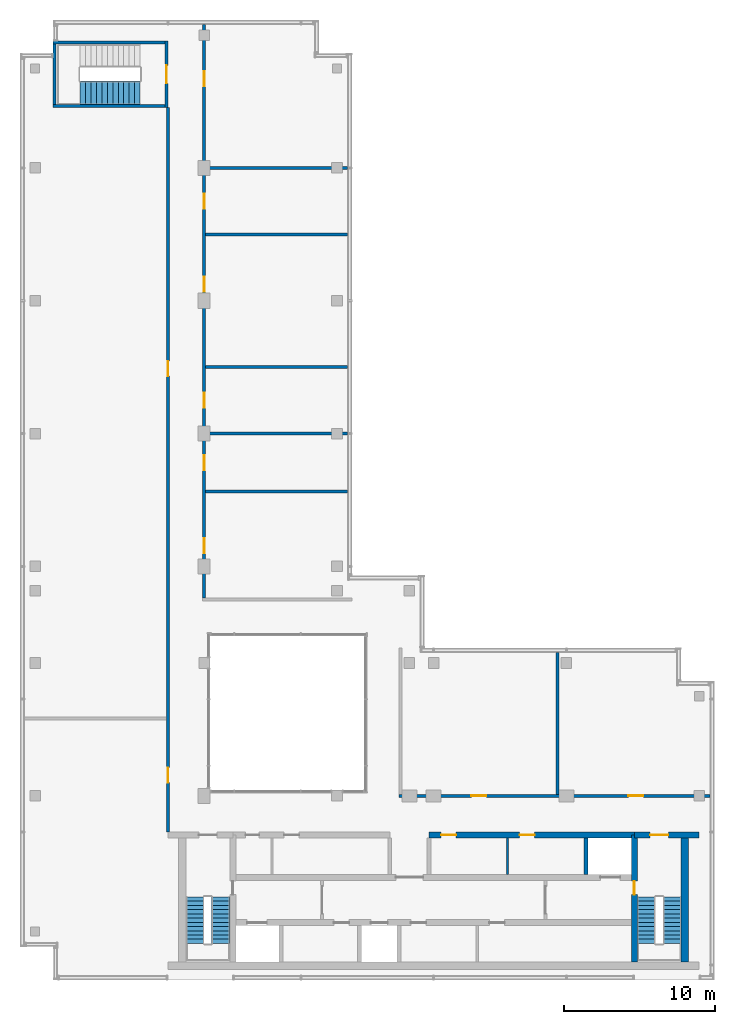
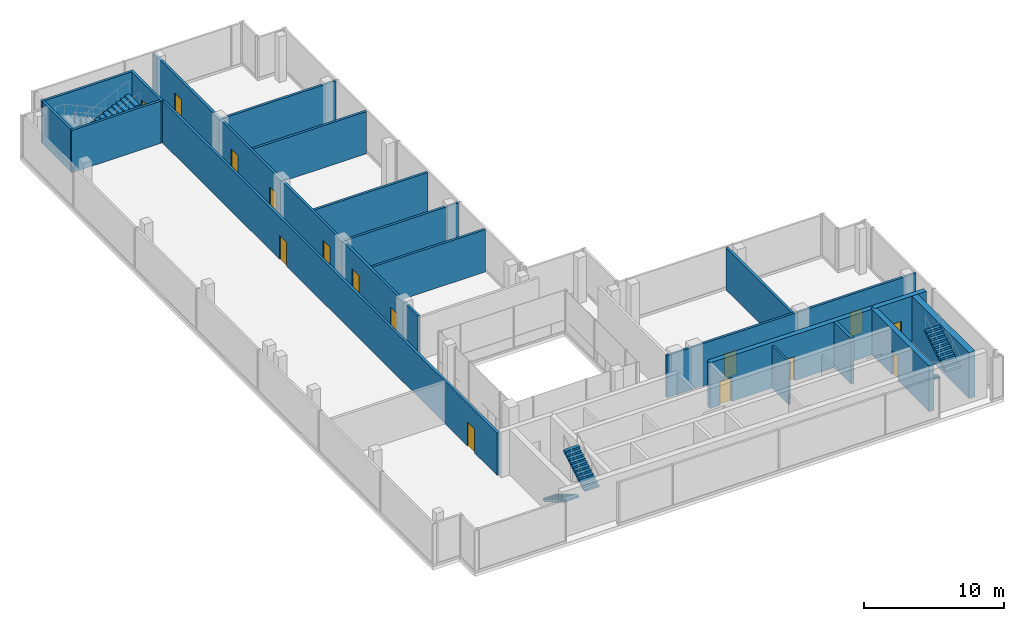
# One storey, part 9 of 11: 19 walls, 15 doors, 5 stair flights, 15 openings, 3 elements without a shape of their own.
"""IFC4 building model written with IfcOpenShell, lengths in metres."""

from ifc_helpers import new_model, si_unit, direction, frame, frame_2d, origin, place, context, subcontext, project, spatial, polyline, rectangle, outline, extrude, material, layer, layer_set, type_object, element, fill, aggregate, save


model = new_model("IFC4")

# Units and contexts
model_context = context("Model", 3, precision=1e-05, world=origin(), true_north=direction((0.0, 1.0)))
body_context = subcontext(model_context, "Body", "Model", "MODEL_VIEW")
ifc_project = project(units=[si_unit("LENGTHUNIT", "METRE"), si_unit("AREAUNIT", "SQUARE_METRE"), si_unit("VOLUMEUNIT", "CUBIC_METRE"), si_unit("PLANEANGLEUNIT", "RADIAN"), si_unit("MASSUNIT", "GRAM", prefix="KILO")], contexts=[model_context])

# Site, building, storey
site_placement = place(None, origin())
site = spatial("IfcSite", under=ifc_project, at=site_placement, CompositionType="ELEMENT")
building_placement = place(site_placement, origin())
building = spatial("IfcBuilding", under=site, at=building_placement, Name="Kemantara Hotel Tower", CompositionType="ELEMENT")
storey_placement = place(building_placement, frame((0.0, 0.0, 326.199951171875)))
storey = spatial("IfcBuildingStorey", under=building, at=storey_placement, Name="L82", CompositionType="ELEMENT", Elevation=326.199951171875)

# Wall
ifc_material_1 = material(Name="Concrete fc 50 MPa", Category="concrete")
ifc_layer_1 = layer(ifc_material_1, 0.25)
ifc_layer_set_1 = layer_set([ifc_layer_1], Name="Concrete fc 50 MPa")
wall_type_1 = type_object("IfcWallType", Name="CORE WALL 250 FC50", PredefinedType="SHEAR", material=ifc_layer_set_1)
wall_1_placement = place(storey_placement, frame((37.5, 7.0, 0.0), z_axis=(0.0, 0.0, 1.0), x_axis=(0.0, 1.0, 0.0)))
element("IfcWall", 1, at=wall_1_placement, inside=storey, type_object=wall_type_1, Name="CORE WALL CW-DN37.5", PredefinedType="SHEAR", context=body_context, shape_type="SweptSolid", body=[
    extrude(rectangle(XDim=2.39990234375, YDim=0.25, at=frame_2d((1.199951171875, 0.0))), origin(), (0.0, 0.0, 1.0), 4.0),
])

# Wall, opening, door
ifc_layer_2 = layer(ifc_material_1, 0.39990234375)
ifc_layer_set_2 = layer_set([ifc_layer_2], Name="Concrete fc 50 MPa")
wall_type_2 = type_object("IfcWallType", Name="CORE WALL 400 FC50", PredefinedType="SHEAR", material=ifc_layer_set_2)
wall_2_placement = place(storey_placement, frame((40.699951171875, 9.60009765625, 0.0), z_axis=(0.0, 0.0, 1.0), x_axis=(1.0, 0.0, 0.0)))
wall_2 = element("IfcWall", 2, at=wall_2_placement, inside=storey, type_object=wall_type_2, Name="CORE WALL CW-N2", PredefinedType="SHEAR", context=body_context, shape_type="SweptSolid", body=[
    extrude(rectangle(XDim=4.300048828125, YDim=0.39990234375, at=frame_2d((2.14990234375, 0.0))), origin(), (0.0, 0.0, 1.0), 4.0),
])
opening_1_placement = place(wall_2_placement, frame((1.050048828125, 0.0, 0.0)))
opening_1 = element("IfcOpeningElement", 3, at=opening_1_placement, cuts=wall_2, Name="Opening C46-ST2-C", PredefinedType="OPENING", context=body_context, shape_type="SweptSolid", body=[
    extrude(rectangle(XDim=1.199951171875, YDim=2.10009765625, at=frame_2d((0.60009765625, 1.050048828125))), frame((0.0, 0.2099609375, 0.0), z_axis=(0.0, -1.0, 0.0), x_axis=(1.0, 0.0, 0.0)), (0.0, 0.0, 1.0), 0.419921875),
])
ifc_material_2 = material(Name="Steel fire door", Category="steel")
door_type_1 = type_object("IfcDoorType", Name="Fire door FD90 1200 x 2100", OperationType="NOTDEFINED", PredefinedType="DOOR", material=ifc_material_2)
door_1_placement = place(opening_1_placement, frame((1.199951171875, 0.0, 0.0), z_axis=(0.0, 0.0, 1.0), x_axis=(-1.0, 0.0, 0.0)))
door_1 = element("IfcDoor", 4, at=door_1_placement, inside=storey, type_object=door_type_1, Name="Stair ST2 door to corridor", OperationType="SINGLE_SWING_RIGHT", OverallHeight=2.10009765625, OverallWidth=1.199951171875, PredefinedType="DOOR", context=body_context, shape_type="SweptSolid", body=[
    extrude(rectangle(XDim=1.199951171875, YDim=2.10009765625, at=frame_2d((0.60009765625, 1.050048828125))), frame((0.0, 0.02490234375, 0.0), z_axis=(0.0, -1.0, 0.0), x_axis=(1.0, 0.0, 0.0)), (0.0, 0.0, 1.0), 0.050048828125),
])
fill(opening_1, door_1)

# Wall, openings, doors
wall_3_placement = place(storey_placement, frame((27.10009765625, 9.60009765625, 0.0), z_axis=(0.0, 0.0, 1.0), x_axis=(1.0, 0.0, 0.0)))
wall_3 = element("IfcWall", 5, at=wall_3_placement, inside=storey, type_object=wall_type_2, Name="CORE WALL CW-NN2", PredefinedType="SHEAR", context=body_context, shape_type="SweptSolid", body=[
    extrude(rectangle(XDim=13.599853515625, YDim=0.39990234375, at=frame_2d((6.7998046875, 0.0))), origin(), (0.0, 0.0, 1.0), 4.0),
])
opening_2_placement = place(wall_3_placement, frame((0.800048828125, 0.0, 0.0)))
opening_2 = element("IfcOpeningElement", 6, at=opening_2_placement, cuts=wall_3, Name="Opening C46-R-NE1", PredefinedType="OPENING", context=body_context, shape_type="SweptSolid", body=[
    extrude(rectangle(XDim=1.0, YDim=2.10009765625, at=frame_2d((0.5, 1.050048828125))), frame((0.0, 0.2099609375, 0.0), z_axis=(0.0, -1.0, 0.0), x_axis=(1.0, 0.0, 0.0)), (0.0, 0.0, 1.0), 0.419921875),
])
opening_3_placement = place(wall_3_placement, frame((6.0, 0.0, 0.0)))
opening_3 = element("IfcOpeningElement", 7, at=opening_3_placement, cuts=wall_3, Name="Opening C46-R-NE2", PredefinedType="OPENING", context=body_context, shape_type="SweptSolid", body=[
    extrude(rectangle(XDim=1.0, YDim=2.10009765625, at=frame_2d((0.5, 1.050048828125))), frame((0.0, 0.2099609375, 0.0), z_axis=(0.0, -1.0, 0.0), x_axis=(1.0, 0.0, 0.0)), (0.0, 0.0, 1.0), 0.419921875),
])
door_type_2 = type_object("IfcDoorType", Name="Fire door FD60 1000 x 2100", OperationType="NOTDEFINED", PredefinedType="DOOR", material=ifc_material_2)
door_2_placement = place(opening_2_placement, frame((1.0, 0.0, 0.0), z_axis=(0.0, 0.0, 1.0), x_axis=(-1.0, 0.0, 0.0)))
door_2 = element("IfcDoor", 8, at=door_2_placement, inside=storey, type_object=door_type_2, Name="Pump Room door", OperationType="SINGLE_SWING_RIGHT", OverallHeight=2.10009765625, OverallWidth=1.0, PredefinedType="DOOR", context=body_context, shape_type="SweptSolid", body=[
    extrude(rectangle(XDim=1.0, YDim=2.10009765625, at=frame_2d((0.5, 1.050048828125))), frame((0.0, 0.02490234375, 0.0), z_axis=(0.0, -1.0, 0.0), x_axis=(1.0, 0.0, 0.0)), (0.0, 0.0, 1.0), 0.050048828125),
])
fill(opening_2, door_2)
door_3_placement = place(opening_3_placement, frame((1.0, 0.0, 0.0), z_axis=(0.0, 0.0, 1.0), x_axis=(-1.0, 0.0, 0.0)))
door_3 = element("IfcDoor", 9, at=door_3_placement, inside=storey, type_object=door_type_2, Name="Air Handling Plant Room door", OperationType="SINGLE_SWING_RIGHT", OverallHeight=2.10009765625, OverallWidth=1.0, PredefinedType="DOOR", context=body_context, shape_type="SweptSolid", body=[
    extrude(rectangle(XDim=1.0, YDim=2.10009765625, at=frame_2d((0.5, 1.050048828125))), frame((0.0, 0.02490234375, 0.0), z_axis=(0.0, -1.0, 0.0), x_axis=(1.0, 0.0, 0.0)), (0.0, 0.0, 1.0), 0.050048828125),
])
fill(opening_3, door_3)

# Wall, opening, door
wall_4_placement = place(storey_placement, frame((40.699951171875, 1.199951171875, 0.0), z_axis=(0.0, 0.0, 1.0), x_axis=(0.0, 1.0, 0.0)))
wall_4 = element("IfcWall", 10, at=wall_4_placement, inside=storey, type_object=wall_type_2, Name="CORE WALL CW-ST2W", PredefinedType="SHEAR", context=body_context, shape_type="SweptSolid", body=[
    extrude(rectangle(XDim=8.400146484375, YDim=0.39990234375, at=frame_2d((4.2001953125, 0.0))), origin(), (0.0, 0.0, 1.0), 4.0),
])
opening_4_placement = place(wall_4_placement, frame((4.449951171875, 0.0, 0.0)))
opening_4 = element("IfcOpeningElement", 11, at=opening_4_placement, cuts=wall_4, Name="Opening C46-ST2-F", PredefinedType="OPENING", context=body_context, shape_type="SweptSolid", body=[
    extrude(rectangle(XDim=0.89990234375, YDim=2.10009765625, at=frame_2d((0.449951171875, 1.050048828125))), frame((0.0, 0.2099609375, 0.0), z_axis=(0.0, -1.0, 0.0), x_axis=(1.0, 0.0, 0.0)), (0.0, 0.0, 1.0), 0.419921875),
])
door_type_3 = type_object("IfcDoorType", Name="Fire door FD90 900 x 2100", OperationType="NOTDEFINED", PredefinedType="DOOR", material=ifc_material_2)
door_4_placement = place(opening_4_placement, frame((0.89990234375, 0.0, 0.0), z_axis=(0.0, 0.0, 1.0), x_axis=(-1.0, 0.0, 0.0)))
door_4 = element("IfcDoor", 12, at=door_4_placement, inside=storey, type_object=door_type_3, Name="Stair ST2 door to firefighting lobby", OperationType="SINGLE_SWING_LEFT", OverallHeight=2.10009765625, OverallWidth=0.89990234375, PredefinedType="DOOR", context=body_context, shape_type="SweptSolid", body=[
    extrude(rectangle(XDim=0.89990234375, YDim=2.10009765625, at=frame_2d((0.449951171875, 1.050048828125))), frame((0.0, 0.02490234375, 0.0), z_axis=(0.0, -1.0, 0.0), x_axis=(1.0, 0.0, 0.0)), (0.0, 0.0, 1.0), 0.050048828125),
])
fill(opening_4, door_4)

# Wall
ifc_layer_3 = layer(ifc_material_1, 0.5)
ifc_layer_set_3 = layer_set([ifc_layer_3], Name="Concrete fc 50 MPa")
wall_type_3 = type_object("IfcWallType", Name="CORE WALL 500 FC50", PredefinedType="SHEAR", material=ifc_layer_set_3)
wall_5_placement = place(storey_placement, frame((44.050048828125, 1.199951171875, 0.0), z_axis=(0.0, 0.0, 1.0), x_axis=(0.0, 1.0, 0.0)))
element("IfcWall", 13, at=wall_5_placement, inside=storey, type_object=wall_type_3, Name="CORE WALL CW-E", PredefinedType="SHEAR", context=body_context, shape_type="SweptSolid", body=[
    extrude(rectangle(XDim=8.60009765625, YDim=0.5, at=frame_2d((4.300048828125, 0.0))), origin(), (0.0, 0.0, 1.0), 4.0),
])

# Wall, opening, door
ifc_material_3 = material(Name="Concrete fc 40 MPa", Category="concrete")
ifc_layer_4 = layer(ifc_material_3, 0.199951171875)
ifc_layer_set_4 = layer_set([ifc_layer_4], Name="Concrete fc 40 MPa")
wall_type_4 = type_object("IfcWallType", Name="Concrete stair wall 200 mm", PredefinedType="SHEAR", material=ifc_layer_set_4)
wall_6_placement = place(storey_placement, frame((9.699951171875, 57.800048828125, 0.0), z_axis=(0.0, 0.0, 1.0), x_axis=(0.0, 1.0, 0.0)))
wall_6 = element("IfcWall", 14, at=wall_6_placement, inside=storey, type_object=wall_type_4, Name="Stair ST4 enclosure wall with door", PredefinedType="SHEAR", context=body_context, shape_type="SweptSolid", body=[
    extrude(rectangle(XDim=4.39990234375, YDim=0.199951171875, at=frame_2d((2.199951171875, 0.0))), origin(), (0.0, 0.0, 1.0), 3.699951171875),
])
opening_5_placement = place(wall_6_placement, frame((1.60009765625, 0.0, 0.0)))
opening_5 = element("IfcOpeningElement", 15, at=opening_5_placement, cuts=wall_6, Name="Opening ST4-C", PredefinedType="OPENING", context=body_context, shape_type="SweptSolid", body=[
    extrude(rectangle(XDim=1.199951171875, YDim=2.10009765625, at=frame_2d((0.60009765625, 1.050048828125))), frame((0.0, 0.10986328125, 0.0), z_axis=(0.0, -1.0, 0.0), x_axis=(1.0, 0.0, 0.0)), (0.0, 0.0, 1.0), 0.219970703125),
])
door_5_placement = place(opening_5_placement, origin())
door_5 = element("IfcDoor", 16, at=door_5_placement, inside=storey, type_object=door_type_1, Name="Stair ST4 door", OperationType="SINGLE_SWING_RIGHT", OverallHeight=2.10009765625, OverallWidth=1.199951171875, PredefinedType="DOOR", context=body_context, shape_type="SweptSolid", body=[
    extrude(rectangle(XDim=1.199951171875, YDim=2.10009765625, at=frame_2d((0.60009765625, 1.050048828125))), frame((0.0, 0.02490234375, 0.0), z_axis=(0.0, -1.0, 0.0), x_axis=(1.0, 0.0, 0.0)), (0.0, 0.0, 1.0), 0.050048828125),
])
fill(opening_5, door_5)

# Walls
for number, where, z_axis, x_axis, name in (
    (17, (2.199951171875, 62.10009765625, 0.0), (0.0, 0.0, 1.0), (1.0, 0.0, 0.0), "Stair ST4 enclosure wall N"),
    (18, (2.199951171875, 57.89990234375, 0.0), (0.0, 0.0, 1.0), (1.0, 0.0, 0.0), "Stair ST4 enclosure wall S"),
):
    element("IfcWall", number, at=place(storey_placement, frame(where, z_axis=z_axis, x_axis=x_axis)), inside=storey, type_object=wall_type_4, Name=name, PredefinedType="SHEAR", context=body_context, shape_type="SweptSolid", body=[
        extrude(rectangle(XDim=7.400146484375, YDim=0.199951171875, at=frame_2d((3.7001953125, 0.0))), origin(), (0.0, 0.0, 1.0), 3.699951171875),
    ])
wall_7_placement = place(storey_placement, frame((2.300048828125, 58.0, 0.0), z_axis=(0.0, 0.0, 1.0), x_axis=(0.0, 1.0, 0.0)))
element("IfcWall", 19, at=wall_7_placement, inside=storey, type_object=wall_type_4, Name="Stair ST4 enclosure wall W", PredefinedType="SHEAR", context=body_context, shape_type="SweptSolid", body=[
    extrude(rectangle(XDim=4.0, YDim=0.199951171875, at=frame_2d((2.0, 0.0))), origin(), (0.0, 0.0, 1.0), 3.699951171875),
])
ifc_material_4 = material(Name="Clay brick masonry", Category="masonry")
ifc_layer_5 = layer(ifc_material_4, 0.199951171875)
ifc_layer_set_5 = layer_set([ifc_layer_5], Name="Clay brick masonry")
wall_type_5 = type_object("IfcWallType", Name="FIRE-RATED CLAY BRICK WALL 200 EI 120", PredefinedType="PARTITIONING", material=ifc_layer_set_5)
for number, where, z_axis, x_axis, name in (
    (20, (12.300048828125, 32.35009765625, 0.0), (0.0, 0.0, 1.0), (1.0, 0.0, 0.0), "FIRE WALL"),
    (21, (12.300048828125, 36.199951171875, 0.0), (0.0, 0.0, 1.0), (1.0, 0.0, 0.0), "FIRE WALL"),
    (22, (12.300048828125, 40.60009765625, 0.0), (0.0, 0.0, 1.0), (1.0, 0.0, 0.0), "FIRE WALL"),
    (23, (12.300048828125, 49.39990234375, 0.0), (0.0, 0.0, 1.0), (1.0, 0.0, 0.0), "FIRE WALL"),
    (24, (12.300048828125, 53.800048828125, 0.0), (0.0, 0.0, 1.0), (1.0, 0.0, 0.0), "FIRE WALL"),
    (25, (35.60009765625, 12.300048828125, 0.0), (0.0, 0.0, 1.0), (0.0, 1.0, 0.0), "FIRE WALL"),
):
    element("IfcWall", number, at=place(storey_placement, frame(where, z_axis=z_axis, x_axis=x_axis)), inside=storey, type_object=wall_type_5, Name=name, PredefinedType="PARTITIONING", context=body_context, shape_type="SweptSolid", body=[
        extrude(rectangle(XDim=9.39990234375, YDim=0.199951171875, at=frame_2d((4.699951171875, 0.0))), origin(), (0.0, 0.0, 1.0), 3.699951171875),
    ])

# Wall, openings, doors
ifc_material_5 = material(Name="Fire-rated gypsum board partition")
ifc_layer_6 = layer(ifc_material_5, 0.199951171875)
ifc_layer_set_6 = layer_set([ifc_layer_6], Name="Fire-rated gypsum board partition")
wall_type_6 = type_object("IfcWallType", Name="FIRE-RATED GYPSUM PARTITION 200 EI 60", PredefinedType="PARTITIONING", material=ifc_layer_set_6)
wall_8_placement = place(storey_placement, frame((25.10009765625, 12.199951171875, 0.0), z_axis=(0.0, 0.0, 1.0), x_axis=(1.0, 0.0, 0.0)))
wall_8 = element("IfcWall", 26, at=wall_8_placement, inside=storey, type_object=wall_type_6, Name="FIRE-RATED PARTITION", PredefinedType="PARTITIONING", context=body_context, shape_type="SweptSolid", body=[
    extrude(rectangle(XDim=20.599853515625, YDim=0.199951171875, at=frame_2d((10.2998046875, 0.0))), origin(), (0.0, 0.0, 1.0), 3.699951171875),
])
opening_6_placement = place(wall_8_placement, frame((4.800048828125, 0.0, 0.0)))
opening_6 = element("IfcOpeningElement", 27, at=opening_6_placement, cuts=wall_8, Name="Opening L82-B001", PredefinedType="OPENING", context=body_context, shape_type="SweptSolid", body=[
    extrude(rectangle(XDim=1.0, YDim=2.10009765625, at=frame_2d((0.5, 1.050048828125))), frame((0.0, 0.10986328125, 0.0), z_axis=(0.0, -1.0, 0.0), x_axis=(1.0, 0.0, 0.0)), (0.0, 0.0, 1.0), 0.219970703125),
])
opening_7_placement = place(wall_8_placement, frame((15.199951171875, 0.0, 0.0)))
opening_7 = element("IfcOpeningElement", 28, at=opening_7_placement, cuts=wall_8, Name="Opening L82-B002", PredefinedType="OPENING", context=body_context, shape_type="SweptSolid", body=[
    extrude(rectangle(XDim=1.0, YDim=2.10009765625, at=frame_2d((0.5, 1.050048828125))), frame((0.0, 0.10986328125, 0.0), z_axis=(0.0, -1.0, 0.0), x_axis=(1.0, 0.0, 0.0)), (0.0, 0.0, 1.0), 0.219970703125),
])
ifc_material_6 = material(Name="Galvanised steel door leaf", Category="steel")
door_type_4 = type_object("IfcDoorType", Name="FIRE-RATED STEEL DOOR 1000 X 2100", OperationType="SINGLE_SWING_LEFT", PredefinedType="DOOR", material=ifc_material_6)
door_6_placement = place(opening_6_placement, frame((1.0, 0.0, 0.0), z_axis=(0.0, 0.0, 1.0), x_axis=(-1.0, 0.0, 0.0)))
door_6 = element("IfcDoor", 29, at=door_6_placement, inside=storey, type_object=door_type_4, Name="FIRE-RATED STEEL DOOR", OperationType="SINGLE_SWING_RIGHT", OverallHeight=2.10009765625, OverallWidth=1.0, PredefinedType="DOOR", context=body_context, shape_type="SweptSolid", body=[
    extrude(rectangle(XDim=1.0, YDim=2.10009765625, at=frame_2d((0.5, 1.050048828125))), frame((0.0, 0.02490234375, 0.0), z_axis=(0.0, -1.0, 0.0), x_axis=(1.0, 0.0, 0.0)), (0.0, 0.0, 1.0), 0.050048828125),
])
fill(opening_6, door_6)
door_7_placement = place(opening_7_placement, frame((1.0, 0.0, 0.0), z_axis=(0.0, 0.0, 1.0), x_axis=(-1.0, 0.0, 0.0)))
door_7 = element("IfcDoor", 30, at=door_7_placement, inside=storey, type_object=door_type_4, Name="FIRE-RATED STEEL DOOR", OperationType="SINGLE_SWING_LEFT", OverallHeight=2.10009765625, OverallWidth=1.0, PredefinedType="DOOR", context=body_context, shape_type="SweptSolid", body=[
    extrude(rectangle(XDim=1.0, YDim=2.10009765625, at=frame_2d((0.5, 1.050048828125))), frame((0.0, 0.02490234375, 0.0), z_axis=(0.0, -1.0, 0.0), x_axis=(1.0, 0.0, 0.0)), (0.0, 0.0, 1.0), 0.050048828125),
])
fill(opening_7, door_7)

wall_9_placement = place(storey_placement, frame((9.800048828125, 9.800048828125, 0.0), z_axis=(0.0, 0.0, 1.0), x_axis=(0.0, 1.0, 0.0)))
wall_9 = element("IfcWall", 31, at=wall_9_placement, inside=storey, type_object=wall_type_6, Name="FIRE-RATED PARTITION", PredefinedType="PARTITIONING", context=body_context, shape_type="SweptSolid", body=[
    extrude(rectangle(XDim=48.0, YDim=0.199951171875, at=frame_2d((24.0, 0.0))), origin(), (0.0, 0.0, 1.0), 3.699951171875),
])
opening_8_placement = place(wall_9_placement, frame((3.27001953125, 0.0, 0.0)))
opening_8 = element("IfcOpeningElement", 32, at=opening_8_placement, cuts=wall_9, Name="Opening L82-B009", PredefinedType="OPENING", context=body_context, shape_type="SweptSolid", body=[
    extrude(rectangle(XDim=1.0, YDim=2.10009765625, at=frame_2d((0.5, 1.050048828125))), frame((0.0, 0.10986328125, 0.0), z_axis=(0.0, -1.0, 0.0), x_axis=(1.0, 0.0, 0.0)), (0.0, 0.0, 1.0), 0.219970703125),
])
opening_9_placement = place(wall_9_placement, frame((30.199951171875, 0.0, 0.0)))
opening_9 = element("IfcOpeningElement", 33, at=opening_9_placement, cuts=wall_9, Name="Opening L82-B010", PredefinedType="OPENING", context=body_context, shape_type="SweptSolid", body=[
    extrude(rectangle(XDim=1.0, YDim=2.10009765625, at=frame_2d((0.5, 1.050048828125))), frame((0.0, 0.10986328125, 0.0), z_axis=(0.0, -1.0, 0.0), x_axis=(1.0, 0.0, 0.0)), (0.0, 0.0, 1.0), 0.219970703125),
])
door_8_placement = place(opening_8_placement, frame((1.0, 0.0, 0.0), z_axis=(0.0, 0.0, 1.0), x_axis=(-1.0, 0.0, 0.0)))
door_8 = element("IfcDoor", 34, at=door_8_placement, inside=storey, type_object=door_type_4, Name="FIRE-RATED STEEL DOOR", OperationType="SINGLE_SWING_RIGHT", OverallHeight=2.10009765625, OverallWidth=1.0, PredefinedType="DOOR", context=body_context, shape_type="SweptSolid", body=[
    extrude(rectangle(XDim=1.0, YDim=2.10009765625, at=frame_2d((0.5, 1.050048828125))), frame((0.0, 0.02490234375, 0.0), z_axis=(0.0, -1.0, 0.0), x_axis=(1.0, 0.0, 0.0)), (0.0, 0.0, 1.0), 0.050048828125),
])
fill(opening_8, door_8)
door_9_placement = place(opening_9_placement, frame((1.0, 0.0, 0.0), z_axis=(0.0, 0.0, 1.0), x_axis=(-1.0, 0.0, 0.0)))
door_9 = element("IfcDoor", 35, at=door_9_placement, inside=storey, type_object=door_type_4, Name="FIRE-RATED STEEL DOOR", OperationType="SINGLE_SWING_LEFT", OverallHeight=2.10009765625, OverallWidth=1.0, PredefinedType="DOOR", context=body_context, shape_type="SweptSolid", body=[
    extrude(rectangle(XDim=1.0, YDim=2.10009765625, at=frame_2d((0.5, 1.050048828125))), frame((0.0, 0.02490234375, 0.0), z_axis=(0.0, -1.0, 0.0), x_axis=(1.0, 0.0, 0.0)), (0.0, 0.0, 1.0), 0.050048828125),
])
fill(opening_9, door_9)

wall_10_placement = place(storey_placement, frame((12.199951171875, 25.300048828125, 0.0), z_axis=(0.0, 0.0, 1.0), x_axis=(0.0, 1.0, 0.0)))
wall_10 = element("IfcWall", 36, at=wall_10_placement, inside=storey, type_object=wall_type_6, Name="FIRE-RATED PARTITION", PredefinedType="PARTITIONING", context=body_context, shape_type="SweptSolid", body=[
    extrude(rectangle(XDim=38.0, YDim=0.199951171875, at=frame_2d((19.0, 0.0))), origin(), (0.0, 0.0, 1.0), 3.699951171875),
])
opening_10_placement = place(wall_10_placement, frame((2.97509765625, 0.0, 0.0)))
opening_10 = element("IfcOpeningElement", 37, at=opening_10_placement, cuts=wall_10, Name="Opening L82-B003", PredefinedType="OPENING", context=body_context, shape_type="SweptSolid", body=[
    extrude(rectangle(XDim=1.0, YDim=2.10009765625, at=frame_2d((0.5, 1.050048828125))), frame((0.0, 0.10986328125, 0.0), z_axis=(0.0, -1.0, 0.0), x_axis=(1.0, 0.0, 0.0)), (0.0, 0.0, 1.0), 0.219970703125),
])
opening_11_placement = place(wall_10_placement, frame((8.47509765625, 0.0, 0.0)))
opening_11 = element("IfcOpeningElement", 38, at=opening_11_placement, cuts=wall_10, Name="Opening L82-B004", PredefinedType="OPENING", context=body_context, shape_type="SweptSolid", body=[
    extrude(rectangle(XDim=1.0, YDim=2.10009765625, at=frame_2d((0.5, 1.050048828125))), frame((0.0, 0.10986328125, 0.0), z_axis=(0.0, -1.0, 0.0), x_axis=(1.0, 0.0, 0.0)), (0.0, 0.0, 1.0), 0.219970703125),
])
opening_12_placement = place(wall_10_placement, frame((12.60009765625, 0.0, 0.0)))
opening_12 = element("IfcOpeningElement", 39, at=opening_12_placement, cuts=wall_10, Name="Opening L82-B005", PredefinedType="OPENING", context=body_context, shape_type="SweptSolid", body=[
    extrude(rectangle(XDim=1.0, YDim=2.10009765625, at=frame_2d((0.5, 1.050048828125))), frame((0.0, 0.10986328125, 0.0), z_axis=(0.0, -1.0, 0.0), x_axis=(1.0, 0.0, 0.0)), (0.0, 0.0, 1.0), 0.219970703125),
])
opening_13_placement = place(wall_10_placement, frame((20.300048828125, 0.0, 0.0)))
opening_13 = element("IfcOpeningElement", 40, at=opening_13_placement, cuts=wall_10, Name="Opening L82-B006", PredefinedType="OPENING", context=body_context, shape_type="SweptSolid", body=[
    extrude(rectangle(XDim=1.0, YDim=2.10009765625, at=frame_2d((0.5, 1.050048828125))), frame((0.0, 0.10986328125, 0.0), z_axis=(0.0, -1.0, 0.0), x_axis=(1.0, 0.0, 0.0)), (0.0, 0.0, 1.0), 0.219970703125),
])
opening_14_placement = place(wall_10_placement, frame((25.800048828125, 0.0, 0.0)))
opening_14 = element("IfcOpeningElement", 41, at=opening_14_placement, cuts=wall_10, Name="Opening L82-B007", PredefinedType="OPENING", context=body_context, shape_type="SweptSolid", body=[
    extrude(rectangle(XDim=1.0, YDim=2.10009765625, at=frame_2d((0.5, 1.050048828125))), frame((0.0, 0.10986328125, 0.0), z_axis=(0.0, -1.0, 0.0), x_axis=(1.0, 0.0, 0.0)), (0.0, 0.0, 1.0), 0.219970703125),
])
opening_15_placement = place(wall_10_placement, frame((33.89990234375, 0.0, 0.0)))
opening_15 = element("IfcOpeningElement", 42, at=opening_15_placement, cuts=wall_10, Name="Opening L82-B008", PredefinedType="OPENING", context=body_context, shape_type="SweptSolid", body=[
    extrude(rectangle(XDim=1.0, YDim=2.10009765625, at=frame_2d((0.5, 1.050048828125))), frame((0.0, 0.10986328125, 0.0), z_axis=(0.0, -1.0, 0.0), x_axis=(1.0, 0.0, 0.0)), (0.0, 0.0, 1.0), 0.219970703125),
])
door_10_placement = place(opening_10_placement, origin())
door_10 = element("IfcDoor", 43, at=door_10_placement, inside=storey, type_object=door_type_4, Name="FIRE-RATED STEEL DOOR", OperationType="SINGLE_SWING_LEFT", OverallHeight=2.10009765625, OverallWidth=1.0, PredefinedType="DOOR", context=body_context, shape_type="SweptSolid", body=[
    extrude(rectangle(XDim=1.0, YDim=2.10009765625, at=frame_2d((0.5, 1.050048828125))), frame((0.0, 0.02490234375, 0.0), z_axis=(0.0, -1.0, 0.0), x_axis=(1.0, 0.0, 0.0)), (0.0, 0.0, 1.0), 0.050048828125),
])
fill(opening_10, door_10)
door_11_placement = place(opening_11_placement, origin())
door_11 = element("IfcDoor", 44, at=door_11_placement, inside=storey, type_object=door_type_4, Name="FIRE-RATED STEEL DOOR", OperationType="SINGLE_SWING_LEFT", OverallHeight=2.10009765625, OverallWidth=1.0, PredefinedType="DOOR", context=body_context, shape_type="SweptSolid", body=[
    extrude(rectangle(XDim=1.0, YDim=2.10009765625, at=frame_2d((0.5, 1.050048828125))), frame((0.0, 0.02490234375, 0.0), z_axis=(0.0, -1.0, 0.0), x_axis=(1.0, 0.0, 0.0)), (0.0, 0.0, 1.0), 0.050048828125),
])
fill(opening_11, door_11)
door_12_placement = place(opening_12_placement, origin())
door_12 = element("IfcDoor", 45, at=door_12_placement, inside=storey, type_object=door_type_4, Name="FIRE-RATED STEEL DOOR", OperationType="SINGLE_SWING_LEFT", OverallHeight=2.10009765625, OverallWidth=1.0, PredefinedType="DOOR", context=body_context, shape_type="SweptSolid", body=[
    extrude(rectangle(XDim=1.0, YDim=2.10009765625, at=frame_2d((0.5, 1.050048828125))), frame((0.0, 0.02490234375, 0.0), z_axis=(0.0, -1.0, 0.0), x_axis=(1.0, 0.0, 0.0)), (0.0, 0.0, 1.0), 0.050048828125),
])
fill(opening_12, door_12)
door_13_placement = place(opening_13_placement, origin())
door_13 = element("IfcDoor", 46, at=door_13_placement, inside=storey, type_object=door_type_4, Name="FIRE-RATED STEEL DOOR", OperationType="SINGLE_SWING_RIGHT", OverallHeight=2.10009765625, OverallWidth=1.0, PredefinedType="DOOR", context=body_context, shape_type="SweptSolid", body=[
    extrude(rectangle(XDim=1.0, YDim=2.10009765625, at=frame_2d((0.5, 1.050048828125))), frame((0.0, 0.02490234375, 0.0), z_axis=(0.0, -1.0, 0.0), x_axis=(1.0, 0.0, 0.0)), (0.0, 0.0, 1.0), 0.050048828125),
])
fill(opening_13, door_13)
door_14_placement = place(opening_14_placement, origin())
door_14 = element("IfcDoor", 47, at=door_14_placement, inside=storey, type_object=door_type_4, Name="FIRE-RATED STEEL DOOR", OperationType="SINGLE_SWING_RIGHT", OverallHeight=2.10009765625, OverallWidth=1.0, PredefinedType="DOOR", context=body_context, shape_type="SweptSolid", body=[
    extrude(rectangle(XDim=1.0, YDim=2.10009765625, at=frame_2d((0.5, 1.050048828125))), frame((0.0, 0.02490234375, 0.0), z_axis=(0.0, -1.0, 0.0), x_axis=(1.0, 0.0, 0.0)), (0.0, 0.0, 1.0), 0.050048828125),
])
fill(opening_14, door_14)
door_15_placement = place(opening_15_placement, origin())
door_15 = element("IfcDoor", 48, at=door_15_placement, inside=storey, type_object=door_type_4, Name="FIRE-RATED STEEL DOOR", OperationType="SINGLE_SWING_RIGHT", OverallHeight=2.10009765625, OverallWidth=1.0, PredefinedType="DOOR", context=body_context, shape_type="SweptSolid", body=[
    extrude(rectangle(XDim=1.0, YDim=2.10009765625, at=frame_2d((0.5, 1.050048828125))), frame((0.0, 0.02490234375, 0.0), z_axis=(0.0, -1.0, 0.0), x_axis=(1.0, 0.0, 0.0)), (0.0, 0.0, 1.0), 0.050048828125),
])
fill(opening_15, door_15)

# Wall
ifc_material_7 = material(Name="Gypsum board partition")
ifc_layer_7 = layer(ifc_material_7, 0.14990234375)
ifc_layer_set_7 = layer_set([ifc_layer_7], Name="Gypsum board partition")
wall_type_7 = type_object("IfcWallType", Name="Gypsum board partition 150 mm", PredefinedType="PARTITIONING", material=ifc_layer_set_7)
wall_11_placement = place(storey_placement, frame((32.300048828125, 7.0, 0.0), z_axis=(0.0, 0.0, 1.0), x_axis=(0.0, 1.0, 0.0)))
element("IfcWall", 49, at=wall_11_placement, inside=storey, type_object=wall_type_7, Name="Core room partition", PredefinedType="PARTITIONING", context=body_context, shape_type="SweptSolid", body=[
    extrude(rectangle(XDim=2.39990234375, YDim=0.14990234375, at=frame_2d((1.199951171875, 0.0))), origin(), (0.0, 0.0, 1.0), 3.699951171875),
])

# Stair, stair flights
stair_type_1 = type_object("IfcStairType", Name="Stair 1200 wide 24 risers of 167 x 280 mm", PredefinedType="HALF_TURN_STAIR", material=ifc_material_3)
stair_1_placement = place(storey_placement, origin())
stair_1 = element("IfcStair", 50, at=stair_1_placement, inside=storey, type_object=stair_type_1, Name="L82 Exit stair ST1", PredefinedType="HALF_TURN_STAIR")
stair_flight_type_1 = type_object("IfcStairFlightType", Name="Stair flight 1200 wide 167 x 280 mm", PredefinedType="STRAIGHT", material=ifc_material_3)
stair_flight_1_placement = place(storey_placement, frame((11.60009765625, 5.5, 0.0), z_axis=(0.0, 0.0, 1.0), x_axis=(0.0, -1.0, 0.0)))
stair_flight_1 = element("IfcStairFlight", 51, at=stair_flight_1_placement, type_object=stair_flight_type_1, Name="ST1 flight 1", NumberOfRisers=12, NumberOfTreads=11, PredefinedType="STRAIGHT", RiserHeight=0.166666667, TreadLength=0.28, context=body_context, shape_type="SweptSolid", body=[
    extrude(outline(polyline([(0.0, 0.0), (0.0, 0.166748046875), (0.280029296875, 0.166748046875), (0.280029296875, 0.333251953125), (0.56005859375, 0.333251953125), (0.56005859375, 0.5), (0.840087890625, 0.5), (0.840087890625, 0.666748046875), (1.1201171875, 0.666748046875), (1.1201171875, 0.833251953125), (1.39990234375, 0.833251953125), (1.39990234375, 1.0), (1.679931640625, 1.0), (1.679931640625, 1.166748046875), (1.9599609375, 1.166748046875), (1.9599609375, 1.333251953125), (2.239990234375, 1.333251953125), (2.239990234375, 1.5), (2.52001953125, 1.5), (2.52001953125, 1.666748046875), (2.800048828125, 1.666748046875), (2.800048828125, 1.833251953125), (3.080078125, 1.833251953125), (3.080078125, 2.0), (3.080078125, 1.658935546875), (0.29296875, 0.0), (0.0, 0.0)])), frame((0.0, 0.60009765625, 0.0), z_axis=(0.0, -1.0, 0.0), x_axis=(1.0, 0.0, 0.0)), (0.0, 0.0, 1.0), 1.199951171875),
])
stair_flight_2_placement = place(storey_placement, frame((13.300048828125, 2.419921875, 2.0), z_axis=(0.0, 0.0, 1.0), x_axis=(0.0, 1.0, 0.0)))
stair_flight_2 = element("IfcStairFlight", 52, at=stair_flight_2_placement, type_object=stair_flight_type_1, Name="ST1 flight 2", NumberOfRisers=12, NumberOfTreads=11, PredefinedType="STRAIGHT", RiserHeight=0.166666667, TreadLength=0.28, context=body_context, shape_type="SweptSolid", body=[
    extrude(outline(polyline([(0.0, 0.0), (0.0, 0.166748046875), (0.280029296875, 0.166748046875), (0.280029296875, 0.333251953125), (0.56005859375, 0.333251953125), (0.56005859375, 0.5), (0.840087890625, 0.5), (0.840087890625, 0.666748046875), (1.1201171875, 0.666748046875), (1.1201171875, 0.833251953125), (1.39990234375, 0.833251953125), (1.39990234375, 1.0), (1.679931640625, 1.0), (1.679931640625, 1.166748046875), (1.9599609375, 1.166748046875), (1.9599609375, 1.333251953125), (2.239990234375, 1.333251953125), (2.239990234375, 1.5), (2.52001953125, 1.5), (2.52001953125, 1.666748046875), (2.800048828125, 1.666748046875), (2.800048828125, 1.833251953125), (3.080078125, 1.833251953125), (3.080078125, 2.0), (3.080078125, 1.658935546875), (0.29296875, 0.0), (0.0, 0.0)])), frame((0.0, 0.60009765625, 0.0), z_axis=(0.0, -1.0, 0.0), x_axis=(1.0, 0.0, 0.0)), (0.0, 0.0, 1.0), 1.199951171875),
])
aggregate(stair_1, [stair_flight_1, stair_flight_2])

stair_2_placement = place(storey_placement, origin())
stair_2 = element("IfcStair", 53, at=stair_2_placement, inside=storey, type_object=stair_type_1, Name="L82 Exit stair ST2", PredefinedType="HALF_TURN_STAIR")
stair_flight_3_placement = place(storey_placement, frame((41.5, 5.5, 0.0), z_axis=(0.0, 0.0, 1.0), x_axis=(0.0, -1.0, 0.0)))
stair_flight_3 = element("IfcStairFlight", 54, at=stair_flight_3_placement, type_object=stair_flight_type_1, Name="ST2 flight 1", NumberOfRisers=12, NumberOfTreads=11, PredefinedType="STRAIGHT", RiserHeight=0.166666667, TreadLength=0.28, context=body_context, shape_type="SweptSolid", body=[
    extrude(outline(polyline([(0.0, 0.0), (0.0, 0.166748046875), (0.280029296875, 0.166748046875), (0.280029296875, 0.333251953125), (0.56005859375, 0.333251953125), (0.56005859375, 0.5), (0.840087890625, 0.5), (0.840087890625, 0.666748046875), (1.1201171875, 0.666748046875), (1.1201171875, 0.833251953125), (1.39990234375, 0.833251953125), (1.39990234375, 1.0), (1.679931640625, 1.0), (1.679931640625, 1.166748046875), (1.9599609375, 1.166748046875), (1.9599609375, 1.333251953125), (2.239990234375, 1.333251953125), (2.239990234375, 1.5), (2.52001953125, 1.5), (2.52001953125, 1.666748046875), (2.800048828125, 1.666748046875), (2.800048828125, 1.833251953125), (3.080078125, 1.833251953125), (3.080078125, 2.0), (3.080078125, 1.658935546875), (0.29296875, 0.0), (0.0, 0.0)])), frame((0.0, 0.60009765625, 0.0), z_axis=(0.0, -1.0, 0.0), x_axis=(1.0, 0.0, 0.0)), (0.0, 0.0, 1.0), 1.199951171875),
])
stair_flight_4_placement = place(storey_placement, frame((43.199951171875, 2.419921875, 2.0), z_axis=(0.0, 0.0, 1.0), x_axis=(0.0, 1.0, 0.0)))
stair_flight_4 = element("IfcStairFlight", 55, at=stair_flight_4_placement, type_object=stair_flight_type_1, Name="ST2 flight 2", NumberOfRisers=12, NumberOfTreads=11, PredefinedType="STRAIGHT", RiserHeight=0.166666667, TreadLength=0.28, context=body_context, shape_type="SweptSolid", body=[
    extrude(outline(polyline([(0.0, 0.0), (0.0, 0.166748046875), (0.280029296875, 0.166748046875), (0.280029296875, 0.333251953125), (0.56005859375, 0.333251953125), (0.56005859375, 0.5), (0.840087890625, 0.5), (0.840087890625, 0.666748046875), (1.1201171875, 0.666748046875), (1.1201171875, 0.833251953125), (1.39990234375, 0.833251953125), (1.39990234375, 1.0), (1.679931640625, 1.0), (1.679931640625, 1.166748046875), (1.9599609375, 1.166748046875), (1.9599609375, 1.333251953125), (2.239990234375, 1.333251953125), (2.239990234375, 1.5), (2.52001953125, 1.5), (2.52001953125, 1.666748046875), (2.800048828125, 1.666748046875), (2.800048828125, 1.833251953125), (3.080078125, 1.833251953125), (3.080078125, 2.0), (3.080078125, 1.658935546875), (0.29296875, 0.0), (0.0, 0.0)])), frame((0.0, 0.60009765625, 0.0), z_axis=(0.0, -1.0, 0.0), x_axis=(1.0, 0.0, 0.0)), (0.0, 0.0, 1.0), 1.199951171875),
])
aggregate(stair_2, [stair_flight_3, stair_flight_4])

# Stair, stair flight
stair_type_2 = type_object("IfcStairType", Name="Stair 1550 wide 24 risers of 167 x 360 mm", PredefinedType="HALF_TURN_STAIR", material=ifc_material_3)
stair_3_placement = place(storey_placement, origin())
stair_3 = element("IfcStair", 56, at=stair_3_placement, inside=storey, type_object=stair_type_2, Name="L82 Exit stair ST4", PredefinedType="HALF_TURN_STAIR")
stair_flight_type_2 = type_object("IfcStairFlightType", Name="Stair flight 1550 wide 167 x 360 mm", PredefinedType="STRAIGHT", material=ifc_material_3)
stair_flight_5_placement = place(storey_placement, frame((3.989990234375, 58.77490234375, 2.0), z_axis=(0.0, 0.0, 1.0), x_axis=(1.0, 0.0, 0.0)))
stair_flight_5 = element("IfcStairFlight", 57, at=stair_flight_5_placement, type_object=stair_flight_type_2, Name="ST4 flight 2", NumberOfRisers=12, NumberOfTreads=11, PredefinedType="STRAIGHT", RiserHeight=0.166666667, TreadLength=0.36, context=body_context, shape_type="SweptSolid", body=[
    extrude(outline(polyline([(0.0, 0.0), (0.0, 0.166748046875), (0.360107421875, 0.166748046875), (0.360107421875, 0.333251953125), (0.719970703125, 0.333251953125), (0.719970703125, 0.5), (1.080078125, 0.5), (1.080078125, 0.666748046875), (1.43994140625, 0.666748046875), (1.43994140625, 0.833251953125), (1.800048828125, 0.833251953125), (1.800048828125, 1.0), (2.159912109375, 1.0), (2.159912109375, 1.166748046875), (2.52001953125, 1.166748046875), (2.52001953125, 1.333251953125), (2.8798828125, 1.333251953125), (2.8798828125, 1.5), (3.239990234375, 1.5), (3.239990234375, 1.666748046875), (3.60009765625, 1.666748046875), (3.60009765625, 1.833251953125), (3.9599609375, 1.833251953125), (3.9599609375, 2.0), (3.9599609375, 1.668212890625), (0.356689453125, 0.0), (0.0, 0.0)])), frame((0.0, 0.77490234375, 0.0), z_axis=(0.0, -1.0, 0.0), x_axis=(1.0, 0.0, 0.0)), (0.0, 0.0, 1.0), 1.550048828125),
])
aggregate(stair_3, [stair_flight_5])

save(model, "model.ifc")
